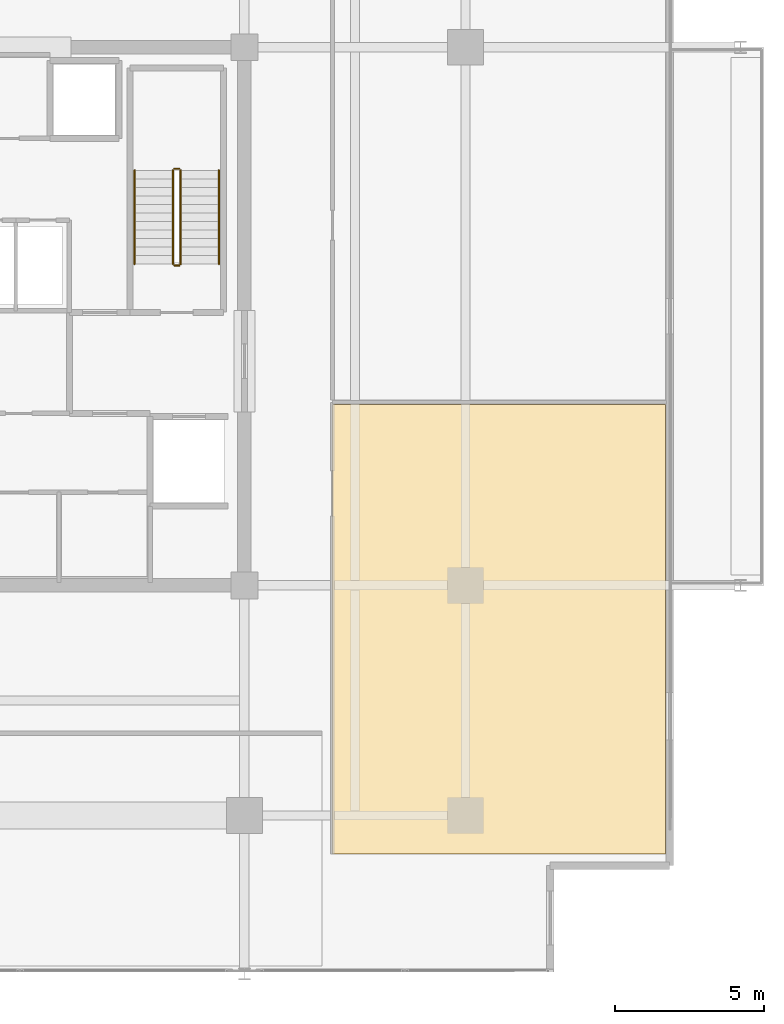
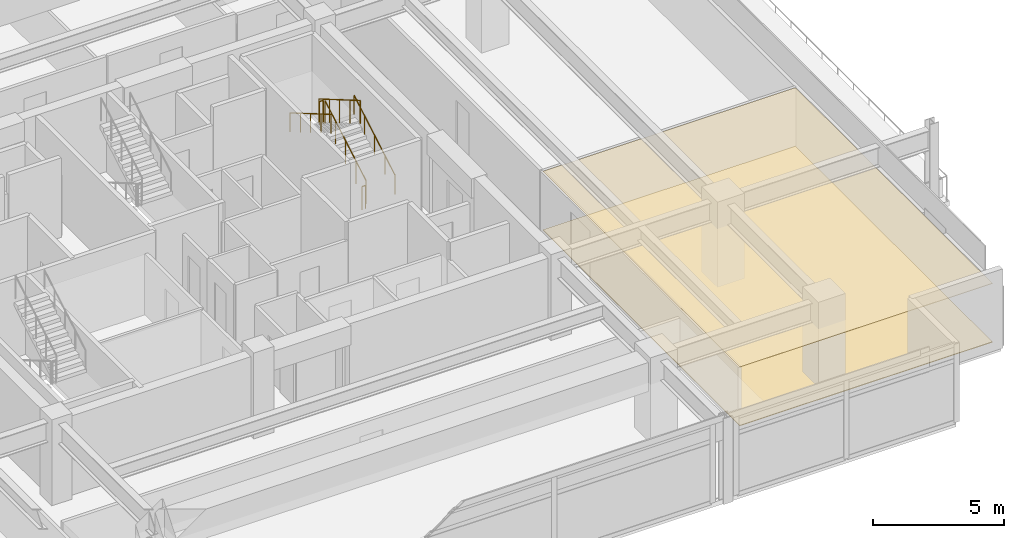
# One storey, part 19 of 20: 6 railings, 2 coverings.
"""IFC4 building model written with IfcOpenShell, lengths in metres."""

from ifc_helpers import new_model, si_unit, direction, frame, origin, origin_2d, place, context, subcontext, project, spatial, polyline, circle, outline, extrude, material, layer, layer_set, type_object, element, save


model = new_model("IFC4")

# Units and contexts
model_context = context("Model", 3, precision=1e-05, world=origin(), true_north=direction((0.0, 1.0)))
body_context = subcontext(model_context, "Body", "Model", "MODEL_VIEW")
ifc_project = project(units=[si_unit("LENGTHUNIT", "METRE"), si_unit("AREAUNIT", "SQUARE_METRE"), si_unit("VOLUMEUNIT", "CUBIC_METRE"), si_unit("PLANEANGLEUNIT", "RADIAN"), si_unit("MASSUNIT", "GRAM", prefix="KILO")], contexts=[model_context])

# Site, building, storey
site_placement = place(None, origin())
site = spatial("IfcSite", under=ifc_project, at=site_placement, CompositionType="ELEMENT")
building_placement = place(site_placement, origin())
building = spatial("IfcBuilding", under=site, at=building_placement, Name="Kovane Verandah Tower", CompositionType="ELEMENT")
storey_placement = place(building_placement, frame((0.0, 0.0, 291.199951171875)))
storey = spatial("IfcBuildingStorey", under=building, at=storey_placement, Name="L68", CompositionType="ELEMENT", Elevation=291.199951171875)

# Coverings
ifc_material_1 = material(Name="Perforated Acoustic Mineral-Fibre Ceiling Tile", Category="gypsum")
ifc_layer_1 = layer(ifc_material_1, 0.02490234375)
ifc_layer_set_1 = layer_set([ifc_layer_1], Name="Perforated Acoustic Mineral-Fibre Ceiling Tile")
covering_type_1 = type_object("IfcCoveringType", Name="CV-CEIL-25", PredefinedType="CEILING", material=ifc_layer_set_1)
covering_1_placement = place(storey_placement, frame((0.0, 0.0, 2.728515625)))
element("IfcCovering", 1, at=covering_1_placement, inside=storey, type_object=covering_type_1, Name="L68 Client Boardroom E1 Acoustic Ceiling", PredefinedType="CEILING", context=body_context, shape_type="SweptSolid", body=[
    extrude(outline(polyline([(53.949951171875, 9.519287109375), (65.081787109375, 9.519287109375), (65.081787109375, 24.552978515625), (53.949951171875, 24.552978515625), (53.949951171875, 9.519287109375)])), origin(), (0.0, 0.0, 1.0), 0.02490234375),
])
ifc_material_2 = material(Name="Polished Terrazzo and Raised-Access Carpet Tile Finish", Category="concrete")
ifc_layer_2 = layer(ifc_material_2, 0.030029296875)
ifc_layer_set_2 = layer_set([ifc_layer_2], Name="Polished Terrazzo and Raised-Access Carpet Tile Finish")
covering_type_2 = type_object("IfcCoveringType", Name="CV-FLOR-30", PredefinedType="FLOORING", material=ifc_layer_set_2)
covering_2_placement = place(storey_placement, origin())
element("IfcCovering", 2, at=covering_2_placement, inside=storey, type_object=covering_type_2, Name="L68 Client Boardroom E1 Floor Finish", PredefinedType="FLOORING", context=body_context, shape_type="SweptSolid", body=[
    extrude(outline(polyline([(53.949951171875, 9.519287109375), (65.081787109375, 9.519287109375), (65.081787109375, 24.552978515625), (53.949951171875, 24.552978515625), (53.949951171875, 9.519287109375)])), origin(), (0.0, 0.0, 1.0), 0.030029296875),
])

# Railings
ifc_material_3 = material(Name="Brushed Stainless Steel Handrail", Category="steel")
railing_type_1 = type_object("IfcRailingType", Name="RL-HAND-920", PredefinedType="HANDRAIL", material=ifc_material_3)
railing_1_placement = place(storey_placement, frame((50.14990234375, 29.25, 0.166748046875)))
element("IfcRailing", 3, at=railing_1_placement, inside=storey, type_object=railing_type_1, Name="L68 ST-02 stair handrail 1", PredefinedType="HANDRAIL", context=body_context, shape_type="SweptSolid", body=[
    extrude(circle(Radius=0.02392578125, at=origin_2d()), frame((0.0, 0.0, 0.8759765625), z_axis=(0.0, 0.863239559939, 0.504794475164), x_axis=(-1.0, 0.0, 0.0)), (0.0, 0.0, 1.0), 3.631591796875),
    extrude(circle(Radius=0.02099609375, at=origin_2d()), origin(), (0.0, 0.0, 1.0), 0.851806640625),
    extrude(circle(Radius=0.02099609375, at=origin_2d()), frame((0.0, 0.78369140625, 0.458251953125)), (0.0, 0.0, 1.0), 0.851806640625),
    extrude(circle(Radius=0.02099609375, at=origin_2d()), frame((0.0, 1.5673828125, 0.91650390625)), (0.0, 0.0, 1.0), 0.851806640625),
    extrude(circle(Radius=0.02099609375, at=origin_2d()), frame((0.0, 2.351318359375, 1.375)), (0.0, 0.0, 1.0), 0.851806640625),
    extrude(circle(Radius=0.02099609375, at=origin_2d()), frame((0.0, 3.135009765625, 1.833251953125)), (0.0, 0.0, 1.0), 0.851806640625),
])
railing_2_placement = place(storey_placement, frame((47.330078125, 32.385009765625, 2.166748046875)))
element("IfcRailing", 4, at=railing_2_placement, inside=storey, type_object=railing_type_1, Name="L68 ST-02 stair handrail 2", PredefinedType="HANDRAIL", context=body_context, shape_type="SweptSolid", body=[
    extrude(circle(Radius=0.02392578125, at=origin_2d()), frame((0.0, 0.0, 0.8759765625), z_axis=(0.0, -0.863239559939, 0.504794475164), x_axis=(1.0, 0.0, 0.0)), (0.0, 0.0, 1.0), 3.631591796875),
    extrude(circle(Radius=0.02099609375, at=origin_2d()), origin(), (0.0, 0.0, 1.0), 0.851806640625),
    extrude(circle(Radius=0.02099609375, at=origin_2d()), frame((0.0, -0.78369140625, 0.458251953125)), (0.0, 0.0, 1.0), 0.851806640625),
    extrude(circle(Radius=0.02099609375, at=origin_2d()), frame((0.0, -1.5673828125, 0.91650390625)), (0.0, 0.0, 1.0), 0.851806640625),
    extrude(circle(Radius=0.02099609375, at=origin_2d()), frame((0.0, -2.351318359375, 1.375)), (0.0, 0.0, 1.0), 0.851806640625),
    extrude(circle(Radius=0.02099609375, at=origin_2d()), frame((0.0, -3.135009765625, 1.833251953125)), (0.0, 0.0, 1.0), 0.851806640625),
])
ifc_material_4 = material(Name="Painted Steel Stairwell Guardrail", Category="steel")
railing_type_2 = type_object("IfcRailingType", Name="RL-STGUARD-1120", PredefinedType="GUARDRAIL", material=ifc_material_4)
railing_3_placement = place(storey_placement, frame((48.8701171875, 29.25, 0.166748046875)))
element("IfcRailing", 5, at=railing_3_placement, inside=storey, type_object=railing_type_2, Name="L68 ST-02 stair guard 1", PredefinedType="GUARDRAIL", context=body_context, shape_type="SweptSolid", body=[
    extrude(circle(Radius=0.02392578125, at=origin_2d()), frame((0.0, 0.0, 1.076171875), z_axis=(0.0, 0.863239559939, 0.504794475164), x_axis=(-1.0, 0.0, 0.0)), (0.0, 0.0, 1.0), 3.631591796875),
    extrude(circle(Radius=0.02099609375, at=origin_2d()), origin(), (0.0, 0.0, 1.0), 1.052001953125),
    extrude(circle(Radius=0.02099609375, at=origin_2d()), frame((0.0, 0.78369140625, 0.458251953125)), (0.0, 0.0, 1.0), 1.052001953125),
    extrude(circle(Radius=0.02099609375, at=origin_2d()), frame((0.0, 1.5673828125, 0.91650390625)), (0.0, 0.0, 1.0), 1.052001953125),
    extrude(circle(Radius=0.02099609375, at=origin_2d()), frame((0.0, 2.351318359375, 1.375)), (0.0, 0.0, 1.0), 1.052001953125),
    extrude(circle(Radius=0.02099609375, at=origin_2d()), frame((0.0, 3.135009765625, 1.833251953125)), (0.0, 0.0, 1.0), 1.052001953125),
])
railing_4_placement = place(storey_placement, frame((48.820068359375, 32.43505859375, 2.0)))
element("IfcRailing", 6, at=railing_4_placement, inside=storey, type_object=railing_type_2, Name="L68 ST-02 stair guard 2", PredefinedType="GUARDRAIL", context=body_context, shape_type="SweptSolid", body=[
    extrude(circle(Radius=0.02392578125, at=origin_2d()), frame((0.0, 0.0, 1.076171875), z_axis=(-1.0, 0.0, 0.0), x_axis=(0.0, -1.0, 0.0)), (0.0, 0.0, 1.0), 0.16015625),
    extrude(circle(Radius=0.02099609375, at=origin_2d()), origin(), (0.0, 0.0, 1.0), 1.052001953125),
    extrude(circle(Radius=0.02099609375, at=origin_2d()), frame((-0.16015625, 0.0, 0.0)), (0.0, 0.0, 1.0), 1.052001953125),
])
railing_5_placement = place(storey_placement, frame((48.610107421875, 32.385009765625, 2.166748046875)))
element("IfcRailing", 7, at=railing_5_placement, inside=storey, type_object=railing_type_2, Name="L68 ST-02 stair guard 3", PredefinedType="GUARDRAIL", context=body_context, shape_type="SweptSolid", body=[
    extrude(circle(Radius=0.02392578125, at=origin_2d()), frame((0.0, 0.0, 1.076171875), z_axis=(0.0, -0.863239559939, 0.504794475164), x_axis=(1.0, 0.0, 0.0)), (0.0, 0.0, 1.0), 3.631591796875),
    extrude(circle(Radius=0.02099609375, at=origin_2d()), origin(), (0.0, 0.0, 1.0), 1.052001953125),
    extrude(circle(Radius=0.02099609375, at=origin_2d()), frame((0.0, -0.78369140625, 0.458251953125)), (0.0, 0.0, 1.0), 1.052001953125),
    extrude(circle(Radius=0.02099609375, at=origin_2d()), frame((0.0, -1.5673828125, 0.91650390625)), (0.0, 0.0, 1.0), 1.052001953125),
    extrude(circle(Radius=0.02099609375, at=origin_2d()), frame((0.0, -2.351318359375, 1.375)), (0.0, 0.0, 1.0), 1.052001953125),
    extrude(circle(Radius=0.02099609375, at=origin_2d()), frame((0.0, -3.135009765625, 1.833251953125)), (0.0, 0.0, 1.0), 1.052001953125),
])
railing_6_placement = place(storey_placement, frame((48.820068359375, 29.199951171875, 0.0)))
element("IfcRailing", 8, at=railing_6_placement, inside=storey, type_object=railing_type_2, Name="L68 ST-02 stair guard 4", PredefinedType="GUARDRAIL", context=body_context, shape_type="SweptSolid", body=[
    extrude(circle(Radius=0.02392578125, at=origin_2d()), frame((0.0, 0.0, 1.076171875), z_axis=(-1.0, 0.0, 0.0), x_axis=(0.0, -1.0, 0.0)), (0.0, 0.0, 1.0), 0.16015625),
    extrude(circle(Radius=0.02099609375, at=origin_2d()), origin(), (0.0, 0.0, 1.0), 1.052001953125),
    extrude(circle(Radius=0.02099609375, at=origin_2d()), frame((-0.16015625, 0.0, 0.0)), (0.0, 0.0, 1.0), 1.052001953125),
])

save(model, "model.ifc")
